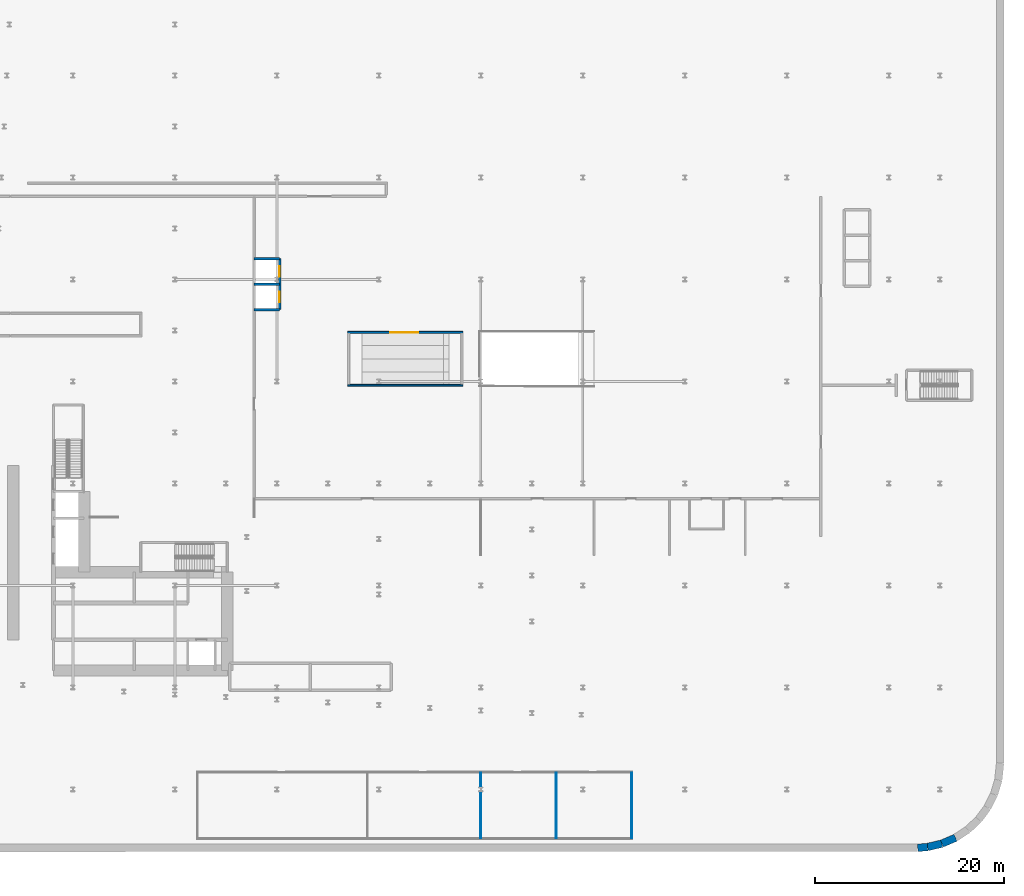
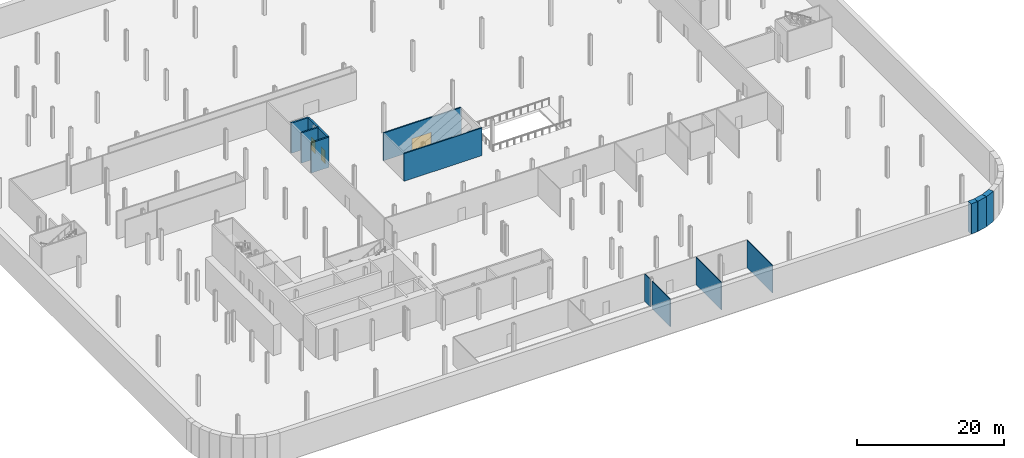
# One storey, part 11 of 19: 13 walls, 3 doors, 3 openings.
"""IFC4 building model written with IfcOpenShell, lengths in metres."""

from ifc_helpers import new_model, si_unit, direction, frame, frame_2d, origin, place, context, subcontext, project, spatial, rectangle, extrude, source, transform, mapped, material, layer, layer_set, type_object, element, fill, save


model = new_model("IFC4")

# Units and contexts
model_context = context("Model", 3, precision=1e-05, world=origin(), true_north=direction((0.0, 1.0)))
body_context = subcontext(model_context, "Body", "Model", "MODEL_VIEW")
ifc_project = project(units=[si_unit("LENGTHUNIT", "METRE"), si_unit("AREAUNIT", "SQUARE_METRE"), si_unit("VOLUMEUNIT", "CUBIC_METRE"), si_unit("PLANEANGLEUNIT", "RADIAN"), si_unit("MASSUNIT", "GRAM", prefix="KILO")], contexts=[model_context])

# Site, building, storey
site_placement = place(None, origin())
site = spatial("IfcSite", under=ifc_project, at=site_placement, CompositionType="ELEMENT")
building_placement = place(site_placement, origin())
building = spatial("IfcBuilding", under=site, at=building_placement, Name="Kheshtan School and Residences Tower", CompositionType="ELEMENT")
storey_placement = place(building_placement, frame((0.0, 0.0, -5.0)))
storey = spatial("IfcBuildingStorey", under=building, at=storey_placement, Name="B1", CompositionType="ELEMENT", Elevation=-5.0)

# Walls
ifc_material_1 = material(Name="Concrete C35/45", Category="concrete")
ifc_layer_1 = layer(ifc_material_1, 0.800048828125)
ifc_layer_set_1 = layer_set([ifc_layer_1], Name="Basement wall 800 Concrete C35/45")
wall_type_1 = type_object("IfcWallType", Name="Basement wall 800 Concrete C35/45", PredefinedType="SOLIDWALL", material=ifc_layer_set_1)
wall_1_placement = place(storey_placement, frame((130.26806640625, 8.0849609375, 0.0), z_axis=(0.0, 0.0, 1.0), x_axis=(-0.918183437355, -0.396155493925, 0.0)))
element("IfcWall", 1, at=wall_1_placement, inside=storey, type_object=wall_type_1, Name="Secant pile wall 27", PredefinedType="SOLIDWALL", context=body_context, shape_type="SweptSolid", body=[
    extrude(rectangle(XDim=1.567138671875, YDim=0.800048828125, at=frame_2d((0.78369140625, 0.0))), origin(), (0.0, 0.0, 1.0), 5.0),
])
wall_2_placement = place(storey_placement, frame((128.8291015625, 7.464111328125, 0.0), z_axis=(0.0, 0.0, 1.0), x_axis=(-0.972992949439, -0.230834833469, 0.0)))
element("IfcWall", 2, at=wall_2_placement, inside=storey, type_object=wall_type_1, Name="Secant pile wall 28", PredefinedType="SOLIDWALL", context=body_context, shape_type="SweptSolid", body=[
    extrude(rectangle(XDim=1.568603515625, YDim=0.800048828125, at=frame_2d((0.7841796875, 0.0))), origin(), (0.0, 0.0, 1.0), 5.0),
])
wall_3_placement = place(storey_placement, frame((127.302978515625, 7.10205078125, 0.0), z_axis=(0.0, 0.0, 1.0), x_axis=(-0.996202832813, -0.087062712427, 0.0)))
element("IfcWall", 3, at=wall_3_placement, inside=storey, type_object=wall_type_1, Name="Secant pile wall 29", PredefinedType="SOLIDWALL", context=body_context, shape_type="SweptSolid", body=[
    extrude(rectangle(XDim=1.0458984375, YDim=0.800048828125, at=frame_2d((0.52294921875, 0.0))), origin(), (0.0, 0.0, 1.0), 5.0),
])
ifc_material_2 = material(Name="Gypsum board on steel studs with fire boards", Category="steel")
ifc_layer_2 = layer(ifc_material_2, 0.199951171875)
ifc_layer_set_2 = layer_set([ifc_layer_2], Name="Corridor wall 200")
wall_type_2 = type_object("IfcWallType", Name="Corridor wall 200", PredefinedType="PARTITIONING", material=ifc_layer_set_2)
wall_4_placement = place(storey_placement, frame((65.89990234375, 56.0, 0.0), z_axis=(0.0, 0.0, 1.0), x_axis=(1.0, 0.0, 0.0)))
element("IfcWall", 4, at=wall_4_placement, inside=storey, type_object=wall_type_2, Name="Partition B1-021", PredefinedType="PARTITIONING", context=body_context, shape_type="SweptSolid", body=[
    extrude(rectangle(XDim=12.2001953125, YDim=0.199951171875, at=frame_2d((6.10009765625, 0.0))), origin(), (0.0, 0.0, 1.0), 4.580078125),
])

# Wall, opening, door
wall_5_placement = place(storey_placement, frame((65.89990234375, 61.60009765625, 0.0), z_axis=(0.0, 0.0, 1.0), x_axis=(1.0, 0.0, 0.0)))
wall_5 = element("IfcWall", 5, at=wall_5_placement, inside=storey, type_object=wall_type_2, Name="Partition B1-022", PredefinedType="PARTITIONING", context=body_context, shape_type="SweptSolid", body=[
    extrude(rectangle(XDim=12.2001953125, YDim=0.199951171875, at=frame_2d((6.10009765625, 0.0))), origin(), (0.0, 0.0, 1.0), 4.580078125),
])
opening_1_placement = place(wall_5_placement, frame((4.5, 0.0, 0.0)))
opening_1 = element("IfcOpeningElement", 6, at=opening_1_placement, cuts=wall_5, Name="Opening D1-001", PredefinedType="OPENING", context=body_context, shape_type="SweptSolid", body=[
    extrude(rectangle(XDim=3.0, YDim=2.10009765625, at=frame_2d((1.5, 1.050048828125))), frame((0.0, 0.10986328125, 0.0), z_axis=(0.0, -1.0, 0.0), x_axis=(1.0, 0.0, 0.0)), (0.0, 0.0, 1.0), 0.219970703125),
])
ifc_material_3 = material(Name="Steel-framed fire-resisting door leaf", Category="steel")
door_type_1 = type_object("IfcDoorType", Name="Fire double door FD60 3000 x 2100", OperationType="DOUBLE_DOOR_SINGLE_SWING", PredefinedType="DOOR", material=ifc_material_3)
shared_shape_1 = source(origin(), body_context, "Body", "SweptSolid", [
    extrude(rectangle(XDim=3.0, YDim=2.10009765625, at=frame_2d((1.5, 1.050048828125))), frame((0.0, 0.02490234375, 0.0), z_axis=(0.0, -1.0, 0.0), x_axis=(1.0, 0.0, 0.0)), (0.0, 0.0, 1.0), 0.050048828125),
])
door_1_placement = place(opening_1_placement, origin())
door_1 = element("IfcDoor", 7, at=door_1_placement, inside=storey, type_object=door_type_1, Name="Door D1-001", OperationType="DOUBLE_DOOR_SINGLE_SWING", OverallHeight=2.10009765625, OverallWidth=3.0, PredefinedType="DOOR", context=body_context, shape_type="MappedRepresentation", body=[
    mapped(shared_shape_1, transform((0.0, 0.0, 0.0), x_axis=(1.0, 0.0, 0.0), y_axis=(0.0, 1.0, 0.0), z_axis=(0.0, 0.0, 1.0), scale=1.0)),
])
fill(opening_1, door_1)

# Walls
ifc_material_4 = material(Name="Gypsum board on steel studs", Category="steel")
ifc_layer_3 = layer(ifc_material_4, 0.10009765625)
ifc_layer_set_3 = layer_set([ifc_layer_3], Name="Gypsum partition 100")
wall_type_3 = type_object("IfcWallType", Name="Gypsum partition 100", PredefinedType="PARTITIONING", material=ifc_layer_set_3)
wall_6_placement = place(storey_placement, frame((80.0, 8.050048828125, 0.0), z_axis=(0.0, 0.0, 1.0), x_axis=(0.0, 1.0, 0.0)))
element("IfcWall", 8, at=wall_6_placement, inside=storey, type_object=wall_type_3, Name="Partition B1-027", PredefinedType="PARTITIONING", context=body_context, shape_type="SweptSolid", body=[
    extrude(rectangle(XDim=4.9140625, YDim=0.10009765625, at=frame_2d((2.45703125, 0.0))), origin(), (0.0, 0.0, 1.0), 4.580078125),
])
wall_7_placement = place(storey_placement, frame((80.0, 13.43603515625, 0.0), z_axis=(0.0, 0.0, 1.0), x_axis=(0.0, 1.0, 0.0)))
element("IfcWall", 9, at=wall_7_placement, inside=storey, type_object=wall_type_3, Name="Partition B1-028", PredefinedType="PARTITIONING", context=body_context, shape_type="SweptSolid", body=[
    extrude(rectangle(XDim=1.513916015625, YDim=0.10009765625, at=frame_2d((0.7568359375, 0.0))), origin(), (0.0, 0.0, 1.0), 4.580078125),
])
for number, where, z_axis, x_axis, name in (
    (10, (88.0, 8.050048828125, 0.0), (0.0, 0.0, 1.0), (0.0, 1.0, 0.0), "Partition B1-030"),
    (11, (96.0, 8.050048828125, 0.0), (0.0, 0.0, 1.0), (0.0, 1.0, 0.0), "Partition B1-032"),
):
    element("IfcWall", number, at=place(storey_placement, frame(where, z_axis=z_axis, x_axis=x_axis)), inside=storey, type_object=wall_type_3, Name=name, PredefinedType="PARTITIONING", context=body_context, shape_type="SweptSolid", body=[
        extrude(rectangle(XDim=6.89990234375, YDim=0.10009765625, at=frame_2d((3.449951171875, 0.0))), origin(), (0.0, 0.0, 1.0), 4.580078125),
    ])

# Wall, openings, doors
ifc_material_5 = material(Name="Fire-board shaft wall system")
ifc_layer_4 = layer(ifc_material_5, 0.25)
ifc_layer_set_4 = layer_set([ifc_layer_4], Name="Shaft lining wall 250")
wall_type_4 = type_object("IfcWallType", Name="Shaft lining wall 250", PredefinedType="PARTITIONING", material=ifc_layer_set_4)
wall_8_placement = place(storey_placement, frame((58.699951171875, 64.0, 0.0), z_axis=(0.0, 0.0, 1.0), x_axis=(0.0, 1.0, 0.0)))
wall_8 = element("IfcWall", 12, at=wall_8_placement, inside=storey, type_object=wall_type_4, Name="Shaft lining wall", PredefinedType="PARTITIONING", context=body_context, shape_type="SweptSolid", body=[
    extrude(rectangle(XDim=5.39990234375, YDim=0.25, at=frame_2d((2.699951171875, 0.0))), origin(), (0.0, 0.0, 1.0), 5.0),
])
opening_2_placement = place(wall_8_placement, frame((0.800048828125, 0.0, 0.0)))
opening_2 = element("IfcOpeningElement", 13, at=opening_2_placement, cuts=wall_8, Name="Opening LD", PredefinedType="OPENING", context=body_context, shape_type="SweptSolid", body=[
    extrude(rectangle(XDim=1.10009765625, YDim=2.199951171875, at=frame_2d((0.550048828125, 1.10009765625))), frame((0.0, 0.135009765625, 0.0), z_axis=(0.0, -1.0, 0.0), x_axis=(1.0, 0.0, 0.0)), (0.0, 0.0, 1.0), 0.27001953125),
])
opening_3_placement = place(wall_8_placement, frame((3.5, 0.0, 0.0)))
opening_3 = element("IfcOpeningElement", 14, at=opening_3_placement, cuts=wall_8, Name="Opening LD", PredefinedType="OPENING", context=body_context, shape_type="SweptSolid", body=[
    extrude(rectangle(XDim=1.10009765625, YDim=2.199951171875, at=frame_2d((0.550048828125, 1.10009765625))), frame((0.0, 0.135009765625, 0.0), z_axis=(0.0, -1.0, 0.0), x_axis=(1.0, 0.0, 0.0)), (0.0, 0.0, 1.0), 0.27001953125),
])
ifc_material_6 = material(Name="Stainless steel door leaves", Category="steel")
door_type_2 = type_object("IfcDoorType", Name="Lift landing door 1100", OperationType="SLIDING_TO_LEFT", PredefinedType="DOOR", material=ifc_material_6)
shared_shape_2 = source(origin(), body_context, "Body", "SweptSolid", [
    extrude(rectangle(XDim=1.10009765625, YDim=2.199951171875, at=frame_2d((0.550048828125, 1.10009765625))), frame((0.0, 0.02490234375, 0.0), z_axis=(0.0, -1.0, 0.0), x_axis=(1.0, 0.0, 0.0)), (0.0, 0.0, 1.0), 0.050048828125),
])
door_2_placement = place(opening_2_placement, origin())
door_2 = element("IfcDoor", 15, at=door_2_placement, inside=storey, type_object=door_type_2, Name="Lift ML1 landing door", OperationType="SLIDING_TO_LEFT", OverallHeight=2.199951171875, OverallWidth=1.10009765625, PredefinedType="DOOR", context=body_context, shape_type="MappedRepresentation", body=[
    mapped(shared_shape_2, transform((0.0, 0.0, 0.0), x_axis=(1.0, 0.0, 0.0), y_axis=(0.0, 1.0, 0.0), z_axis=(0.0, 0.0, 1.0), scale=1.0)),
])
fill(opening_2, door_2)
door_3_placement = place(opening_3_placement, origin())
door_3 = element("IfcDoor", 16, at=door_3_placement, inside=storey, type_object=door_type_2, Name="Lift ML2 landing door", OperationType="SLIDING_TO_LEFT", OverallHeight=2.199951171875, OverallWidth=1.10009765625, PredefinedType="DOOR", context=body_context, shape_type="MappedRepresentation", body=[
    mapped(shared_shape_2, transform((0.0, 0.0, 0.0), x_axis=(1.0, 0.0, 0.0), y_axis=(0.0, 1.0, 0.0), z_axis=(0.0, 0.0, 1.0), scale=1.0)),
])
fill(opening_3, door_3)

# Walls
for number, where, z_axis, x_axis, name in (
    (17, (56.0, 64.0, 0.0), (0.0, 0.0, 1.0), (1.0, 0.0, 0.0), "Shaft lining wall"),
    (18, (56.0, 66.699951171875, 0.0), (0.0, 0.0, 1.0), (1.0, 0.0, 0.0), "Shaft lining wall"),
    (19, (56.0, 69.39990234375, 0.0), (0.0, 0.0, 1.0), (1.0, 0.0, 0.0), "Shaft lining wall"),
):
    element("IfcWall", number, at=place(storey_placement, frame(where, z_axis=z_axis, x_axis=x_axis)), inside=storey, type_object=wall_type_4, Name=name, PredefinedType="PARTITIONING", context=body_context, shape_type="SweptSolid", body=[
        extrude(rectangle(XDim=2.699951171875, YDim=0.25, at=frame_2d((1.35009765625, 0.0))), origin(), (0.0, 0.0, 1.0), 5.0),
    ])

save(model, "model.ifc")
